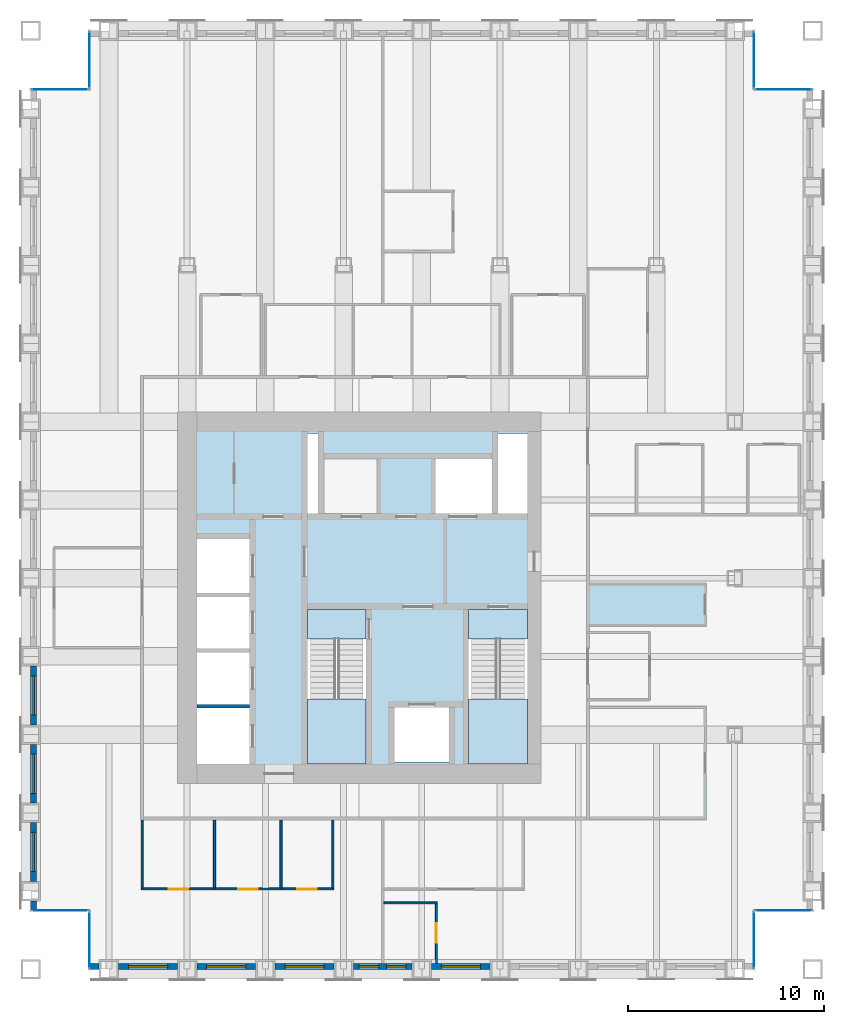
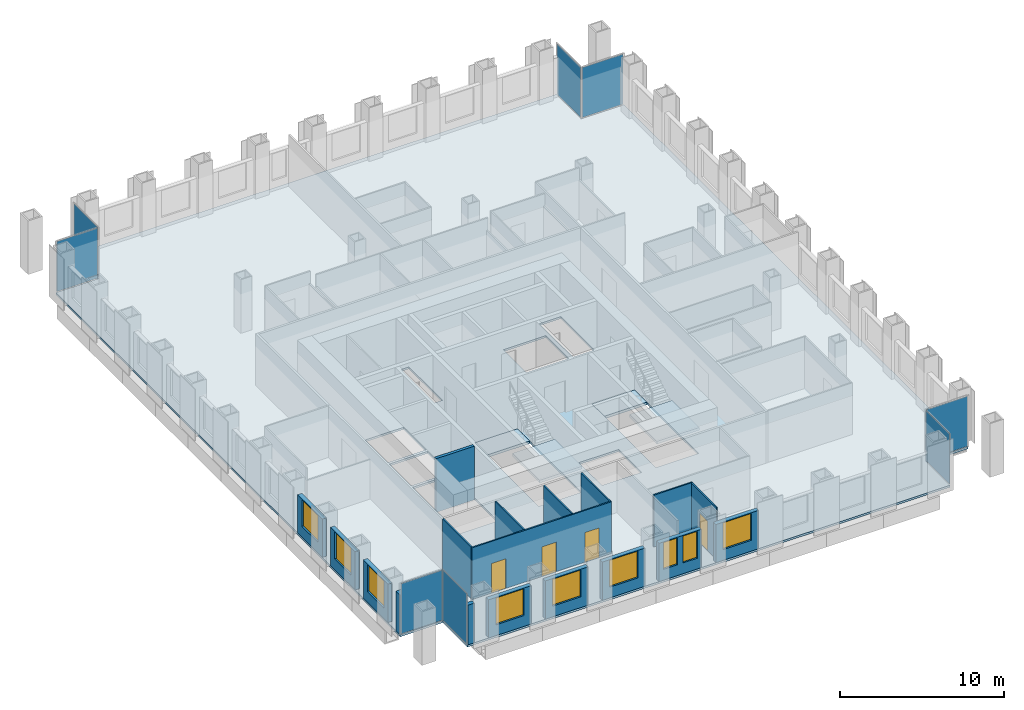
# One storey, part 8 of 14: 18 walls, 9 windows, 8 plates, 5 slabs, 4 doors, 13 openings, 10 elements without a shape of their own.
"""IFC4 building model written with IfcOpenShell, lengths in metres."""

from ifc_helpers import new_model, si_unit, direction, frame, frame_2d, origin, origin_2d, place, context, subcontext, project, spatial, polyline, rectangle, outline, extrude, material, layer, layer_set, type_object, element, fill, aggregate, save


model = new_model("IFC4")

# Units and contexts
model_context = context("Model", 3, precision=1e-05, world=origin(), true_north=direction((0.0, 1.0)))
body_context = subcontext(model_context, "Body", "Model", "MODEL_VIEW")
ifc_project = project(units=[si_unit("LENGTHUNIT", "METRE"), si_unit("AREAUNIT", "SQUARE_METRE"), si_unit("VOLUMEUNIT", "CUBIC_METRE"), si_unit("PLANEANGLEUNIT", "RADIAN"), si_unit("MASSUNIT", "GRAM", prefix="KILO")], contexts=[model_context])

# Site, building, storey
site_placement = place(None, origin())
site = spatial("IfcSite", under=ifc_project, at=site_placement, CompositionType="ELEMENT")
building_placement = place(site_placement, origin())
building = spatial("IfcBuilding", under=site, at=building_placement, Name="Rimbunsela Tower", CompositionType="ELEMENT")
storey_placement = place(building_placement, frame((0.0, 0.0, 230.199951171875)))
storey = spatial("IfcBuildingStorey", under=building, at=storey_placement, Name="L55", CompositionType="ELEMENT", Elevation=230.199951171875)

# Slab
ifc_material_1 = material(Name="Concrete fc' 35 MPa", Category="concrete")
ifc_layer_1 = layer(ifc_material_1, 0.14990234375)
ifc_layer_set_1 = layer_set([ifc_layer_1], Name="Floor slab 150")
slab_type_1 = type_object("IfcSlabType", Name="Floor slab 150", PredefinedType="FLOOR", material=ifc_layer_set_1)
slab_1_placement = place(storey_placement, frame((0.0, 0.0, -0.14990234375)))
element("IfcSlab", 1, at=slab_1_placement, inside=storey, type_object=slab_type_1, Name="Floor slab L55", PredefinedType="FLOOR", context=body_context, shape_type="SweptSolid", body=[
    extrude(outline(polyline([(13.0, 8.0), (47.0, 8.0), (47.0, 11.0), (50.0, 11.0), (50.0, 53.0), (47.0, 53.0), (47.0, 56.0), (13.0, 56.0), (13.0, 53.0), (10.0, 53.0), (10.0, 11.0), (13.0, 11.0), (13.0, 8.0)]), holes=[polyline([(21.199951171875, 21.35009765625), (18.5, 21.35009765625), (18.5, 18.5), (21.199951171875, 18.5), (21.199951171875, 21.35009765625)]), polyline([(21.199951171875, 21.550048828125), (21.199951171875, 24.199951171875), (18.5, 24.199951171875), (18.5, 21.550048828125), (21.199951171875, 21.550048828125)]), polyline([(21.199951171875, 27.050048828125), (18.5, 27.050048828125), (18.5, 24.39990234375), (21.199951171875, 24.39990234375), (21.199951171875, 27.050048828125)]), polyline([(21.199951171875, 30.0), (18.5, 30.0), (18.5, 27.25), (21.199951171875, 27.25), (21.199951171875, 30.0)]), polyline([(27.14990234375, 26.39990234375), (24.14990234375, 26.39990234375), (24.14990234375, 18.60009765625), (27.14990234375, 18.60009765625), (27.14990234375, 26.39990234375)]), polyline([(24.699951171875, 31.300048828125), (24.699951171875, 35.39990234375), (24.14990234375, 35.39990234375), (24.14990234375, 31.300048828125), (24.699951171875, 31.300048828125)]), polyline([(31.39990234375, 21.39990234375), (28.60009765625, 21.39990234375), (28.60009765625, 18.60009765625), (31.39990234375, 18.60009765625), (31.39990234375, 21.39990234375)]), polyline([(33.60009765625, 34.10009765625), (30.60009765625, 34.10009765625), (30.60009765625, 31.300048828125), (33.60009765625, 31.300048828125), (33.60009765625, 34.10009765625)]), polyline([(35.39990234375, 18.60009765625), (35.39990234375, 26.39990234375), (32.39990234375, 26.39990234375), (32.39990234375, 18.60009765625), (35.39990234375, 18.60009765625)]), polyline([(35.39990234375, 31.300048828125), (35.39990234375, 35.39990234375), (33.89990234375, 35.39990234375), (33.89990234375, 31.300048828125), (35.39990234375, 31.300048828125)])]), origin(), (0.0, 0.0, 1.0), 0.14990234375),
])

# Curtain wall, plate
ifc_material_2 = material(Name="Aluminium curtain wall", Category="aluminium")
curtain_wall_type = type_object("IfcCurtainWallType", Name="Corner glazing", PredefinedType="USERDEFINED", material=ifc_material_2)
curtain_wall_1_placement = place(storey_placement, origin())
curtain_wall_1 = element("IfcCurtainWall", 2, at=curtain_wall_1_placement, inside=storey, type_object=curtain_wall_type, Name="Corner glazing L55", ObjectType="CORNER GLAZING", PredefinedType="USERDEFINED")
ifc_material_3 = material(Name="Clear double glazing", Category="glass")
ifc_layer_2 = layer(ifc_material_3, 0.028076171875)
ifc_layer_set_2 = layer_set([ifc_layer_2], Name="Glazed panel clear")
plate_type = type_object("IfcPlateType", Name="Glazed panel clear", PredefinedType="CURTAIN_PANEL", material=ifc_layer_set_2)
plate_1_placement = place(storey_placement, frame((47.0, 9.5, 0.06005859375), z_axis=(0.0, 0.0, 1.0), x_axis=(0.0, 1.0, 0.0)))
plate_1 = element("IfcPlate", 3, at=plate_1_placement, type_object=plate_type, Name="CW5 panel 1.1", PredefinedType="CURTAIN_PANEL", context=body_context, shape_type="SweptSolid", body=[
    extrude(rectangle(XDim=2.8798828125, YDim=0.028076171875, at=origin_2d()), origin(), (0.0, 0.0, 1.0), 3.72998046875),
])
aggregate(curtain_wall_1, [plate_1])

curtain_wall_2_placement = place(storey_placement, origin())
curtain_wall_2 = element("IfcCurtainWall", 4, at=curtain_wall_2_placement, inside=storey, type_object=curtain_wall_type, Name="Corner glazing L55", ObjectType="CORNER GLAZING", PredefinedType="USERDEFINED")
plate_2_placement = place(storey_placement, frame((48.5, 11.0, 0.06005859375), z_axis=(0.0, 0.0, 1.0), x_axis=(1.0, 0.0, 0.0)))
plate_2 = element("IfcPlate", 5, at=plate_2_placement, type_object=plate_type, Name="CW5 panel 1.1", PredefinedType="CURTAIN_PANEL", context=body_context, shape_type="SweptSolid", body=[
    extrude(rectangle(XDim=2.8798828125, YDim=0.028076171875, at=origin_2d()), origin(), (0.0, 0.0, 1.0), 3.72998046875),
])
aggregate(curtain_wall_2, [plate_2])

curtain_wall_3_placement = place(storey_placement, origin())
curtain_wall_3 = element("IfcCurtainWall", 6, at=curtain_wall_3_placement, inside=storey, type_object=curtain_wall_type, Name="Corner glazing L55", ObjectType="CORNER GLAZING", PredefinedType="USERDEFINED")
plate_3_placement = place(storey_placement, frame((48.5, 53.0, 0.06005859375), z_axis=(0.0, 0.0, 1.0), x_axis=(-1.0, 0.0, 0.0)))
plate_3 = element("IfcPlate", 7, at=plate_3_placement, type_object=plate_type, Name="CW5 panel 1.1", PredefinedType="CURTAIN_PANEL", context=body_context, shape_type="SweptSolid", body=[
    extrude(rectangle(XDim=2.8798828125, YDim=0.028076171875, at=origin_2d()), origin(), (0.0, 0.0, 1.0), 3.72998046875),
])
aggregate(curtain_wall_3, [plate_3])

curtain_wall_4_placement = place(storey_placement, origin())
curtain_wall_4 = element("IfcCurtainWall", 8, at=curtain_wall_4_placement, inside=storey, type_object=curtain_wall_type, Name="Corner glazing L55", ObjectType="CORNER GLAZING", PredefinedType="USERDEFINED")
plate_4_placement = place(storey_placement, frame((47.0, 54.5, 0.06005859375), z_axis=(0.0, 0.0, 1.0), x_axis=(0.0, 1.0, 0.0)))
plate_4 = element("IfcPlate", 9, at=plate_4_placement, type_object=plate_type, Name="CW5 panel 1.1", PredefinedType="CURTAIN_PANEL", context=body_context, shape_type="SweptSolid", body=[
    extrude(rectangle(XDim=2.8798828125, YDim=0.028076171875, at=origin_2d()), origin(), (0.0, 0.0, 1.0), 3.72998046875),
])
aggregate(curtain_wall_4, [plate_4])

curtain_wall_5_placement = place(storey_placement, origin())
curtain_wall_5 = element("IfcCurtainWall", 10, at=curtain_wall_5_placement, inside=storey, type_object=curtain_wall_type, Name="Corner glazing L55", ObjectType="CORNER GLAZING", PredefinedType="USERDEFINED")
plate_5_placement = place(storey_placement, frame((13.0, 54.5, 0.06005859375), z_axis=(0.0, 0.0, 1.0), x_axis=(0.0, -1.0, 0.0)))
plate_5 = element("IfcPlate", 11, at=plate_5_placement, type_object=plate_type, Name="CW5 panel 1.1", PredefinedType="CURTAIN_PANEL", context=body_context, shape_type="SweptSolid", body=[
    extrude(rectangle(XDim=2.8798828125, YDim=0.028076171875, at=origin_2d()), origin(), (0.0, 0.0, 1.0), 3.72998046875),
])
aggregate(curtain_wall_5, [plate_5])

curtain_wall_6_placement = place(storey_placement, origin())
curtain_wall_6 = element("IfcCurtainWall", 12, at=curtain_wall_6_placement, inside=storey, type_object=curtain_wall_type, Name="Corner glazing L55", ObjectType="CORNER GLAZING", PredefinedType="USERDEFINED")
plate_6_placement = place(storey_placement, frame((11.5, 53.0, 0.06005859375), z_axis=(0.0, 0.0, 1.0), x_axis=(-1.0, 0.0, 0.0)))
plate_6 = element("IfcPlate", 13, at=plate_6_placement, type_object=plate_type, Name="CW5 panel 1.1", PredefinedType="CURTAIN_PANEL", context=body_context, shape_type="SweptSolid", body=[
    extrude(rectangle(XDim=2.8798828125, YDim=0.028076171875, at=origin_2d()), origin(), (0.0, 0.0, 1.0), 3.72998046875),
])
aggregate(curtain_wall_6, [plate_6])

curtain_wall_7_placement = place(storey_placement, origin())
curtain_wall_7 = element("IfcCurtainWall", 14, at=curtain_wall_7_placement, inside=storey, type_object=curtain_wall_type, Name="Corner glazing L55", ObjectType="CORNER GLAZING", PredefinedType="USERDEFINED")
plate_7_placement = place(storey_placement, frame((11.5, 11.0, 0.06005859375), z_axis=(0.0, 0.0, 1.0), x_axis=(1.0, 0.0, 0.0)))
plate_7 = element("IfcPlate", 15, at=plate_7_placement, type_object=plate_type, Name="CW5 panel 1.1", PredefinedType="CURTAIN_PANEL", context=body_context, shape_type="SweptSolid", body=[
    extrude(rectangle(XDim=2.8798828125, YDim=0.028076171875, at=origin_2d()), origin(), (0.0, 0.0, 1.0), 3.72998046875),
])
aggregate(curtain_wall_7, [plate_7])

curtain_wall_8_placement = place(storey_placement, origin())
curtain_wall_8 = element("IfcCurtainWall", 16, at=curtain_wall_8_placement, inside=storey, type_object=curtain_wall_type, Name="Corner glazing L55", ObjectType="CORNER GLAZING", PredefinedType="USERDEFINED")
plate_8_placement = place(storey_placement, frame((13.0, 9.5, 0.06005859375), z_axis=(0.0, 0.0, 1.0), x_axis=(0.0, -1.0, 0.0)))
plate_8 = element("IfcPlate", 17, at=plate_8_placement, type_object=plate_type, Name="CW5 panel 1.1", PredefinedType="CURTAIN_PANEL", context=body_context, shape_type="SweptSolid", body=[
    extrude(rectangle(XDim=2.8798828125, YDim=0.028076171875, at=origin_2d()), origin(), (0.0, 0.0, 1.0), 3.72998046875),
])
aggregate(curtain_wall_8, [plate_8])

# Stair, slabs
ifc_material_4 = material(Name="Concrete fc' 35 MPa", Category="concrete")
stair_type = type_object("IfcStairType", Name="Exit stair 24 risers", PredefinedType="HALF_TURN_STAIR", material=ifc_material_4)
stair_1_placement = place(storey_placement, origin())
stair_1 = element("IfcStair", 18, at=stair_1_placement, inside=storey, type_object=stair_type, Name="Exit stair A L55", PredefinedType="HALF_TURN_STAIR")
ifc_material_5 = material(Name="Concrete fc' 35 MPa", Category="concrete")
ifc_layer_3 = layer(ifc_material_5, 0.199951171875)
ifc_layer_set_3 = layer_set([ifc_layer_3], Name="Stair landing 200")
slab_type_2 = type_object("IfcSlabType", Name="Stair landing 200", PredefinedType="LANDING", material=ifc_layer_set_3)
slab_2_placement = place(storey_placement, frame((0.0, 0.0, -0.199951171875)))
slab_2 = element("IfcSlab", 19, at=slab_2_placement, type_object=slab_type_2, Name="ST-A landing 1", PredefinedType="LANDING", context=body_context, shape_type="SweptSolid", body=[
    extrude(outline(polyline([(24.14990234375, 24.89990234375), (27.14990234375, 24.89990234375), (27.14990234375, 26.39990234375), (24.14990234375, 26.39990234375), (24.14990234375, 24.89990234375)])), origin(), (0.0, 0.0, 1.0), 0.199951171875),
])
slab_3_placement = place(storey_placement, frame((0.0, 0.0, 1.800048828125)))
slab_3 = element("IfcSlab", 20, at=slab_3_placement, type_object=slab_type_2, Name="ST-A landing 2", PredefinedType="LANDING", context=body_context, shape_type="SweptSolid", body=[
    extrude(outline(polyline([(24.14990234375, 18.5), (27.14990234375, 18.5), (27.14990234375, 21.820068359375), (24.14990234375, 21.820068359375), (24.14990234375, 18.5)])), origin(), (0.0, 0.0, 1.0), 0.199951171875),
])
aggregate(stair_1, [slab_2, slab_3])

stair_2_placement = place(storey_placement, origin())
stair_2 = element("IfcStair", 21, at=stair_2_placement, inside=storey, type_object=stair_type, Name="Exit stair B L55", PredefinedType="HALF_TURN_STAIR")
slab_4_placement = place(storey_placement, frame((0.0, 0.0, -0.199951171875)))
slab_4 = element("IfcSlab", 22, at=slab_4_placement, type_object=slab_type_2, Name="ST-B landing 1", PredefinedType="LANDING", context=body_context, shape_type="SweptSolid", body=[
    extrude(outline(polyline([(32.39990234375, 24.89990234375), (35.39990234375, 24.89990234375), (35.39990234375, 26.39990234375), (32.39990234375, 26.39990234375), (32.39990234375, 24.89990234375)])), origin(), (0.0, 0.0, 1.0), 0.199951171875),
])
slab_5_placement = place(storey_placement, frame((0.0, 0.0, 1.800048828125)))
slab_5 = element("IfcSlab", 23, at=slab_5_placement, type_object=slab_type_2, Name="ST-B landing 2", PredefinedType="LANDING", context=body_context, shape_type="SweptSolid", body=[
    extrude(outline(polyline([(32.39990234375, 18.5), (35.39990234375, 18.5), (35.39990234375, 21.820068359375), (32.39990234375, 21.820068359375), (32.39990234375, 18.5)])), origin(), (0.0, 0.0, 1.0), 0.199951171875),
])
aggregate(stair_2, [slab_4, slab_5])

# Walls
ifc_material_6 = material(Name="Concrete blockwork", Category="masonry")
ifc_layer_4 = layer(ifc_material_6, 0.199951171875)
ifc_layer_set_4 = layer_set([ifc_layer_4], Name="Lift shaft wall 200")
wall_type_1 = type_object("IfcWallType", Name="Lift shaft wall 200", PredefinedType="SOLIDWALL", material=ifc_layer_set_4)
wall_1_placement = place(storey_placement, frame((18.5, 21.449951171875, -0.14990234375), z_axis=(0.0, 0.0, 1.0), x_axis=(1.0, 0.0, 0.0)))
element("IfcWall", 24, at=wall_1_placement, inside=storey, type_object=wall_type_1, Name="Lift shaft separation", PredefinedType="SOLIDWALL", context=body_context, shape_type="SweptSolid", body=[
    extrude(rectangle(XDim=2.699951171875, YDim=0.199951171875, at=frame_2d((1.35009765625, 0.0))), origin(), (0.0, 0.0, 1.0), 4.0),
])
ifc_material_7 = material(Name="Gypsum board on steel studs", Category="steel")
ifc_layer_5 = layer(ifc_material_7, 0.10009765625)
ifc_layer_set_5 = layer_set([ifc_layer_5], Name="Office partition 100")
wall_type_2 = type_object("IfcWallType", Name="Office partition 100", PredefinedType="PARTITIONING", material=ifc_layer_set_5)
wall_2_placement = place(storey_placement, frame((28.06005859375, 11.39990234375, 0.0), z_axis=(0.0, 0.0, 1.0), x_axis=(1.0, 0.0, 0.0)))
element("IfcWall", 25, at=wall_2_placement, inside=storey, type_object=wall_type_2, Name="Office partition", PredefinedType="PARTITIONING", context=body_context, shape_type="SweptSolid", body=[
    extrude(rectangle(XDim=2.739990234375, YDim=0.10009765625, at=frame_2d((1.3701171875, 0.0))), origin(), (0.0, 0.0, 1.0), 3.85009765625),
])

# Wall, openings, doors
wall_3_placement = place(storey_placement, frame((15.64990234375, 12.10009765625, 0.0), z_axis=(0.0, 0.0, 1.0), x_axis=(1.0, 0.0, 0.0)))
wall_3 = element("IfcWall", 26, at=wall_3_placement, inside=storey, type_object=wall_type_2, Name="Office partition", PredefinedType="PARTITIONING", context=body_context, shape_type="SweptSolid", body=[
    extrude(rectangle(XDim=9.85009765625, YDim=0.10009765625, at=frame_2d((4.925048828125, 0.0))), origin(), (0.0, 0.0, 1.0), 3.85009765625),
])
opening_1_placement = place(wall_3_placement, frame((1.39990234375, 0.0, 0.0)))
opening_1 = element("IfcOpeningElement", 27, at=opening_1_placement, cuts=wall_3, Name="Opening D17", PredefinedType="OPENING", context=body_context, shape_type="SweptSolid", body=[
    extrude(rectangle(XDim=1.0, YDim=2.199951171875, at=frame_2d((0.5, 1.10009765625))), frame((0.0, 0.06005859375, 0.0), z_axis=(0.0, -1.0, 0.0), x_axis=(1.0, 0.0, 0.0)), (0.0, 0.0, 1.0), 0.1201171875),
])
opening_2_placement = place(wall_3_placement, frame((4.949951171875, 0.0, 0.0)))
opening_2 = element("IfcOpeningElement", 28, at=opening_2_placement, cuts=wall_3, Name="Opening D16", PredefinedType="OPENING", context=body_context, shape_type="SweptSolid", body=[
    extrude(rectangle(XDim=1.0, YDim=2.199951171875, at=frame_2d((0.5, 1.10009765625))), frame((0.0, 0.06005859375, 0.0), z_axis=(0.0, -1.0, 0.0), x_axis=(1.0, 0.0, 0.0)), (0.0, 0.0, 1.0), 0.1201171875),
])
opening_3_placement = place(wall_3_placement, frame((7.97509765625, 0.0, 0.0)))
opening_3 = element("IfcOpeningElement", 29, at=opening_3_placement, cuts=wall_3, Name="Opening D16", PredefinedType="OPENING", context=body_context, shape_type="SweptSolid", body=[
    extrude(rectangle(XDim=1.0, YDim=2.199951171875, at=frame_2d((0.5, 1.10009765625))), frame((0.0, 0.06005859375, 0.0), z_axis=(0.0, -1.0, 0.0), x_axis=(1.0, 0.0, 0.0)), (0.0, 0.0, 1.0), 0.1201171875),
])
ifc_material_8 = material(Name="Glazed aluminium door", Category="aluminium")
door_type_1 = type_object("IfcDoorType", Name="Meeting room door 1000 glazed", OperationType="SINGLE_SWING_RIGHT", PredefinedType="DOOR", material=ifc_material_8)
door_1_placement = place(opening_1_placement, origin())
door_1 = element("IfcDoor", 30, at=door_1_placement, inside=storey, type_object=door_type_1, Name="Meeting room door", OperationType="SINGLE_SWING_RIGHT", OverallHeight=2.199951171875, OverallWidth=1.0, PredefinedType="DOOR", context=body_context, shape_type="SweptSolid", body=[
    extrude(rectangle(XDim=1.0, YDim=2.199951171875, at=frame_2d((0.5, 1.10009765625))), frame((0.0, 0.02490234375, 0.0), z_axis=(0.0, -1.0, 0.0), x_axis=(1.0, 0.0, 0.0)), (0.0, 0.0, 1.0), 0.050048828125),
])
fill(opening_1, door_1)
ifc_material_9 = material(Name="Timber door", Category="wood")
door_type_2 = type_object("IfcDoorType", Name="Office door 1000", OperationType="SINGLE_SWING_LEFT", PredefinedType="DOOR", material=ifc_material_9)
door_2_placement = place(opening_2_placement, origin())
door_2 = element("IfcDoor", 31, at=door_2_placement, inside=storey, type_object=door_type_2, Name="Office door", OperationType="SINGLE_SWING_LEFT", OverallHeight=2.199951171875, OverallWidth=1.0, PredefinedType="DOOR", context=body_context, shape_type="SweptSolid", body=[
    extrude(rectangle(XDim=1.0, YDim=2.199951171875, at=frame_2d((0.5, 1.10009765625))), frame((0.0, 0.02490234375, 0.0), z_axis=(0.0, -1.0, 0.0), x_axis=(1.0, 0.0, 0.0)), (0.0, 0.0, 1.0), 0.050048828125),
])
fill(opening_2, door_2)
door_3_placement = place(opening_3_placement, origin())
door_3 = element("IfcDoor", 32, at=door_3_placement, inside=storey, type_object=door_type_2, Name="Office door", OperationType="SINGLE_SWING_LEFT", OverallHeight=2.199951171875, OverallWidth=1.0, PredefinedType="DOOR", context=body_context, shape_type="SweptSolid", body=[
    extrude(rectangle(XDim=1.0, YDim=2.199951171875, at=frame_2d((0.5, 1.10009765625))), frame((0.0, 0.02490234375, 0.0), z_axis=(0.0, -1.0, 0.0), x_axis=(1.0, 0.0, 0.0)), (0.0, 0.0, 1.0), 0.050048828125),
])
fill(opening_3, door_3)

# Walls
for number, where, z_axis, x_axis, name in (
    (33, (15.699951171875, 12.14990234375, 0.0), (0.0, 0.0, 1.0), (0.0, 1.0, 0.0), "Office partition"),
    (34, (19.39990234375, 12.14990234375, 0.0), (0.0, 0.0, 1.0), (0.0, 1.0, 0.0), "Office partition"),
    (35, (22.800048828125, 12.14990234375, 0.0), (0.0, 0.0, 1.0), (0.0, 1.0, 0.0), "Office partition"),
    (36, (25.449951171875, 12.14990234375, 0.0), (0.0, 0.0, 1.0), (0.0, 1.0, 0.0), "Office partition"),
):
    element("IfcWall", number, at=place(storey_placement, frame(where, z_axis=z_axis, x_axis=x_axis)), inside=storey, type_object=wall_type_2, Name=name, PredefinedType="PARTITIONING", context=body_context, shape_type="SweptSolid", body=[
        extrude(rectangle(XDim=3.47509765625, YDim=0.10009765625, at=frame_2d((1.737548828125, 0.0))), origin(), (0.0, 0.0, 1.0), 3.85009765625),
    ])

# Wall, opening, door
wall_4_placement = place(storey_placement, frame((30.75, 8.300048828125, 0.0), z_axis=(0.0, 0.0, 1.0), x_axis=(0.0, 1.0, 0.0)))
wall_4 = element("IfcWall", 37, at=wall_4_placement, inside=storey, type_object=wall_type_2, Name="Office partition", PredefinedType="PARTITIONING", context=body_context, shape_type="SweptSolid", body=[
    extrude(rectangle(XDim=3.050048828125, YDim=0.10009765625, at=frame_2d((1.52490234375, 0.0))), origin(), (0.0, 0.0, 1.0), 3.85009765625),
])
opening_4_placement = place(wall_4_placement, frame((1.050048828125, 0.0, 0.0)))
opening_4 = element("IfcOpeningElement", 38, at=opening_4_placement, cuts=wall_4, Name="Opening D16", PredefinedType="OPENING", context=body_context, shape_type="SweptSolid", body=[
    extrude(rectangle(XDim=1.0, YDim=2.199951171875, at=frame_2d((0.5, 1.10009765625))), frame((0.0, 0.06005859375, 0.0), z_axis=(0.0, -1.0, 0.0), x_axis=(1.0, 0.0, 0.0)), (0.0, 0.0, 1.0), 0.1201171875),
])
door_4_placement = place(opening_4_placement, origin())
door_4 = element("IfcDoor", 39, at=door_4_placement, inside=storey, type_object=door_type_2, Name="Office door", OperationType="SINGLE_SWING_LEFT", OverallHeight=2.199951171875, OverallWidth=1.0, PredefinedType="DOOR", context=body_context, shape_type="SweptSolid", body=[
    extrude(rectangle(XDim=1.0, YDim=2.199951171875, at=frame_2d((0.5, 1.10009765625))), frame((0.0, 0.02490234375, 0.0), z_axis=(0.0, -1.0, 0.0), x_axis=(1.0, 0.0, 0.0)), (0.0, 0.0, 1.0), 0.050048828125),
])
fill(opening_4, door_4)

# Wall
ifc_material_10 = material(Name="Precast concrete fc' 35 MPa", Category="concrete")
ifc_layer_6 = layer(ifc_material_10, 0.300048828125)
ifc_layer_set_6 = layer_set([ifc_layer_6], Name="Precast concrete fc' 35 MPa")
wall_type_3 = type_object("IfcWallType", Name="Precast facade panel 300", PredefinedType="ELEMENTEDWALL", material=ifc_layer_set_6)
wall_5_placement = place(storey_placement, frame((13.030029296875, 8.14990234375, 0.0), z_axis=(0.0, 0.0, 1.0), x_axis=(1.0, 0.0, 0.0)))
element("IfcWall", 40, at=wall_5_placement, inside=storey, type_object=wall_type_3, Name="Facade panel S L55", PredefinedType="ELEMENTEDWALL", context=body_context, shape_type="SweptSolid", body=[
    extrude(rectangle(XDim=0.469970703125, YDim=0.300048828125, at=frame_2d((0.23486328125, 0.0))), origin(), (0.0, 0.0, 1.0), 2.949951171875),
])

# Wall, opening, window
wall_6_placement = place(storey_placement, frame((14.5, 8.14990234375, 0.0), z_axis=(0.0, 0.0, 1.0), x_axis=(1.0, 0.0, 0.0)))
wall_6 = element("IfcWall", 41, at=wall_6_placement, inside=storey, type_object=wall_type_3, Name="Facade panel S L55", PredefinedType="ELEMENTEDWALL", context=body_context, shape_type="SweptSolid", body=[
    extrude(rectangle(XDim=3.0, YDim=0.300048828125, at=frame_2d((1.5, 0.0))), origin(), (0.0, 0.0, 1.0), 2.85009765625),
])
opening_5_placement = place(wall_6_placement, frame((0.5, 0.0, 0.800048828125)))
opening_5 = element("IfcOpeningElement", 42, at=opening_5_placement, cuts=wall_6, Name="Opening W1", PredefinedType="OPENING", context=body_context, shape_type="SweptSolid", body=[
    extrude(rectangle(XDim=2.0, YDim=2.0, at=frame_2d((1.0, 1.0))), frame((0.0, 0.159912109375, 0.0), z_axis=(0.0, -1.0, 0.0), x_axis=(1.0, 0.0, 0.0)), (0.0, 0.0, 1.0), 0.320068359375),
])
ifc_material_11 = material(Name="Clear glass in aluminium frame", Category="aluminium")
window_type_1 = type_object("IfcWindowType", Name="Window W1 2000x2000", PartitioningType="DOUBLE_PANEL_VERTICAL", PredefinedType="WINDOW", material=ifc_material_11)
window_1_placement = place(opening_5_placement, origin())
window_1 = element("IfcWindow", 43, at=window_1_placement, inside=storey, type_object=window_type_1, Name="Window L55", OverallHeight=2.0, OverallWidth=2.0, PartitioningType="SINGLE_PANEL", PredefinedType="WINDOW", context=body_context, shape_type="SweptSolid", body=[
    extrude(rectangle(XDim=2.0, YDim=2.0, at=frame_2d((1.0, 1.0))), frame((0.0, 0.030029296875, 0.0), z_axis=(0.0, -1.0, 0.0), x_axis=(1.0, 0.0, 0.0)), (0.0, 0.0, 1.0), 0.06005859375),
])
fill(opening_5, window_1)

wall_7_placement = place(storey_placement, frame((18.5, 8.14990234375, 0.0), z_axis=(0.0, 0.0, 1.0), x_axis=(1.0, 0.0, 0.0)))
wall_7 = element("IfcWall", 44, at=wall_7_placement, inside=storey, type_object=wall_type_3, Name="Facade panel S L55", PredefinedType="ELEMENTEDWALL", context=body_context, shape_type="SweptSolid", body=[
    extrude(rectangle(XDim=3.0, YDim=0.300048828125, at=frame_2d((1.5, 0.0))), origin(), (0.0, 0.0, 1.0), 2.85009765625),
])
opening_6_placement = place(wall_7_placement, frame((0.5, 0.0, 0.800048828125)))
opening_6 = element("IfcOpeningElement", 45, at=opening_6_placement, cuts=wall_7, Name="Opening W1", PredefinedType="OPENING", context=body_context, shape_type="SweptSolid", body=[
    extrude(rectangle(XDim=2.0, YDim=2.0, at=frame_2d((1.0, 1.0))), frame((0.0, 0.159912109375, 0.0), z_axis=(0.0, -1.0, 0.0), x_axis=(1.0, 0.0, 0.0)), (0.0, 0.0, 1.0), 0.320068359375),
])
window_2_placement = place(opening_6_placement, origin())
window_2 = element("IfcWindow", 46, at=window_2_placement, inside=storey, type_object=window_type_1, Name="Window L55", OverallHeight=2.0, OverallWidth=2.0, PartitioningType="SINGLE_PANEL", PredefinedType="WINDOW", context=body_context, shape_type="SweptSolid", body=[
    extrude(rectangle(XDim=2.0, YDim=2.0, at=frame_2d((1.0, 1.0))), frame((0.0, 0.030029296875, 0.0), z_axis=(0.0, -1.0, 0.0), x_axis=(1.0, 0.0, 0.0)), (0.0, 0.0, 1.0), 0.06005859375),
])
fill(opening_6, window_2)

wall_8_placement = place(storey_placement, frame((22.5, 8.14990234375, 0.0), z_axis=(0.0, 0.0, 1.0), x_axis=(1.0, 0.0, 0.0)))
wall_8 = element("IfcWall", 47, at=wall_8_placement, inside=storey, type_object=wall_type_3, Name="Facade panel S L55", PredefinedType="ELEMENTEDWALL", context=body_context, shape_type="SweptSolid", body=[
    extrude(rectangle(XDim=3.0, YDim=0.300048828125, at=frame_2d((1.5, 0.0))), origin(), (0.0, 0.0, 1.0), 2.85009765625),
])
opening_7_placement = place(wall_8_placement, frame((0.5, 0.0, 0.800048828125)))
opening_7 = element("IfcOpeningElement", 48, at=opening_7_placement, cuts=wall_8, Name="Opening W1", PredefinedType="OPENING", context=body_context, shape_type="SweptSolid", body=[
    extrude(rectangle(XDim=2.0, YDim=2.0, at=frame_2d((1.0, 1.0))), frame((0.0, 0.159912109375, 0.0), z_axis=(0.0, -1.0, 0.0), x_axis=(1.0, 0.0, 0.0)), (0.0, 0.0, 1.0), 0.320068359375),
])
window_3_placement = place(opening_7_placement, origin())
window_3 = element("IfcWindow", 49, at=window_3_placement, inside=storey, type_object=window_type_1, Name="Window L55", OverallHeight=2.0, OverallWidth=2.0, PartitioningType="SINGLE_PANEL", PredefinedType="WINDOW", context=body_context, shape_type="SweptSolid", body=[
    extrude(rectangle(XDim=2.0, YDim=2.0, at=frame_2d((1.0, 1.0))), frame((0.0, 0.030029296875, 0.0), z_axis=(0.0, -1.0, 0.0), x_axis=(1.0, 0.0, 0.0)), (0.0, 0.0, 1.0), 0.06005859375),
])
fill(opening_7, window_3)

# Wall, openings, windows
wall_9_placement = place(storey_placement, frame((26.5, 8.14990234375, 0.0), z_axis=(0.0, 0.0, 1.0), x_axis=(1.0, 0.0, 0.0)))
wall_9 = element("IfcWall", 50, at=wall_9_placement, inside=storey, type_object=wall_type_3, Name="Facade panel S L55", PredefinedType="ELEMENTEDWALL", context=body_context, shape_type="SweptSolid", body=[
    extrude(rectangle(XDim=3.0, YDim=0.300048828125, at=frame_2d((1.5, 0.0))), origin(), (0.0, 0.0, 1.0), 2.85009765625),
])
opening_8_placement = place(wall_9_placement, frame((0.300048828125, 0.0, 0.800048828125)))
opening_8 = element("IfcOpeningElement", 51, at=opening_8_placement, cuts=wall_9, Name="Opening W5", PredefinedType="OPENING", context=body_context, shape_type="SweptSolid", body=[
    extrude(rectangle(XDim=1.0, YDim=2.0, at=frame_2d((0.5, 1.0))), frame((0.0, 0.159912109375, 0.0), z_axis=(0.0, -1.0, 0.0), x_axis=(1.0, 0.0, 0.0)), (0.0, 0.0, 1.0), 0.320068359375),
])
opening_9_placement = place(wall_9_placement, frame((1.699951171875, 0.0, 0.800048828125)))
opening_9 = element("IfcOpeningElement", 52, at=opening_9_placement, cuts=wall_9, Name="Opening W5", PredefinedType="OPENING", context=body_context, shape_type="SweptSolid", body=[
    extrude(rectangle(XDim=1.0, YDim=2.0, at=frame_2d((0.5, 1.0))), frame((0.0, 0.159912109375, 0.0), z_axis=(0.0, -1.0, 0.0), x_axis=(1.0, 0.0, 0.0)), (0.0, 0.0, 1.0), 0.320068359375),
])
ifc_material_12 = material(Name="Clear glass in aluminium frame", Category="aluminium")
window_type_2 = type_object("IfcWindowType", Name="Window W5 1000x2000", PartitioningType="SINGLE_PANEL", PredefinedType="WINDOW", material=ifc_material_12)
window_4_placement = place(opening_8_placement, origin())
window_4 = element("IfcWindow", 53, at=window_4_placement, inside=storey, type_object=window_type_2, Name="Window L55", OverallHeight=2.0, OverallWidth=1.0, PartitioningType="SINGLE_PANEL", PredefinedType="WINDOW", context=body_context, shape_type="SweptSolid", body=[
    extrude(rectangle(XDim=1.0, YDim=2.0, at=frame_2d((0.5, 1.0))), frame((0.0, 0.030029296875, 0.0), z_axis=(0.0, -1.0, 0.0), x_axis=(1.0, 0.0, 0.0)), (0.0, 0.0, 1.0), 0.06005859375),
])
fill(opening_8, window_4)
window_5_placement = place(opening_9_placement, origin())
window_5 = element("IfcWindow", 54, at=window_5_placement, inside=storey, type_object=window_type_2, Name="Window L55", OverallHeight=2.0, OverallWidth=1.0, PartitioningType="SINGLE_PANEL", PredefinedType="WINDOW", context=body_context, shape_type="SweptSolid", body=[
    extrude(rectangle(XDim=1.0, YDim=2.0, at=frame_2d((0.5, 1.0))), frame((0.0, 0.030029296875, 0.0), z_axis=(0.0, -1.0, 0.0), x_axis=(1.0, 0.0, 0.0)), (0.0, 0.0, 1.0), 0.06005859375),
])
fill(opening_9, window_5)

# Wall, opening, window
wall_10_placement = place(storey_placement, frame((30.5, 8.14990234375, 0.0), z_axis=(0.0, 0.0, 1.0), x_axis=(1.0, 0.0, 0.0)))
wall_10 = element("IfcWall", 55, at=wall_10_placement, inside=storey, type_object=wall_type_3, Name="Facade panel S L55", PredefinedType="ELEMENTEDWALL", context=body_context, shape_type="SweptSolid", body=[
    extrude(rectangle(XDim=3.0, YDim=0.300048828125, at=frame_2d((1.5, 0.0))), origin(), (0.0, 0.0, 1.0), 2.85009765625),
])
opening_10_placement = place(wall_10_placement, frame((0.5, 0.0, 0.800048828125)))
opening_10 = element("IfcOpeningElement", 56, at=opening_10_placement, cuts=wall_10, Name="Opening W1", PredefinedType="OPENING", context=body_context, shape_type="SweptSolid", body=[
    extrude(rectangle(XDim=2.0, YDim=2.0, at=frame_2d((1.0, 1.0))), frame((0.0, 0.159912109375, 0.0), z_axis=(0.0, -1.0, 0.0), x_axis=(1.0, 0.0, 0.0)), (0.0, 0.0, 1.0), 0.320068359375),
])
window_6_placement = place(opening_10_placement, origin())
window_6 = element("IfcWindow", 57, at=window_6_placement, inside=storey, type_object=window_type_1, Name="Window L55", OverallHeight=2.0, OverallWidth=2.0, PartitioningType="SINGLE_PANEL", PredefinedType="WINDOW", context=body_context, shape_type="SweptSolid", body=[
    extrude(rectangle(XDim=2.0, YDim=2.0, at=frame_2d((1.0, 1.0))), frame((0.0, 0.030029296875, 0.0), z_axis=(0.0, -1.0, 0.0), x_axis=(1.0, 0.0, 0.0)), (0.0, 0.0, 1.0), 0.06005859375),
])
fill(opening_10, window_6)

# Wall
wall_11_placement = place(storey_placement, frame((10.14990234375, 11.5, 0.0), z_axis=(0.0, 0.0, 1.0), x_axis=(0.0, -1.0, 0.0)))
element("IfcWall", 58, at=wall_11_placement, inside=storey, type_object=wall_type_3, Name="Facade panel W L55", PredefinedType="ELEMENTEDWALL", context=body_context, shape_type="SweptSolid", body=[
    extrude(rectangle(XDim=0.469970703125, YDim=0.300048828125, at=frame_2d((0.23486328125, 0.0))), origin(), (0.0, 0.0, 1.0), 2.949951171875),
])

# Wall, opening, window
wall_12_placement = place(storey_placement, frame((10.14990234375, 15.5, 0.0), z_axis=(0.0, 0.0, 1.0), x_axis=(0.0, -1.0, 0.0)))
wall_12 = element("IfcWall", 59, at=wall_12_placement, inside=storey, type_object=wall_type_3, Name="Facade panel W L55", PredefinedType="ELEMENTEDWALL", context=body_context, shape_type="SweptSolid", body=[
    extrude(rectangle(XDim=3.0, YDim=0.300048828125, at=frame_2d((1.5, 0.0))), origin(), (0.0, 0.0, 1.0), 2.85009765625),
])
opening_11_placement = place(wall_12_placement, frame((0.5, 0.0, 0.800048828125)))
opening_11 = element("IfcOpeningElement", 60, at=opening_11_placement, cuts=wall_12, Name="Opening W1", PredefinedType="OPENING", context=body_context, shape_type="SweptSolid", body=[
    extrude(rectangle(XDim=2.0, YDim=2.0, at=frame_2d((1.0, 1.0))), frame((0.0, 0.159912109375, 0.0), z_axis=(0.0, -1.0, 0.0), x_axis=(1.0, 0.0, 0.0)), (0.0, 0.0, 1.0), 0.320068359375),
])
window_7_placement = place(opening_11_placement, origin())
window_7 = element("IfcWindow", 61, at=window_7_placement, inside=storey, type_object=window_type_1, Name="Window L55", OverallHeight=2.0, OverallWidth=2.0, PartitioningType="SINGLE_PANEL", PredefinedType="WINDOW", context=body_context, shape_type="SweptSolid", body=[
    extrude(rectangle(XDim=2.0, YDim=2.0, at=frame_2d((1.0, 1.0))), frame((0.0, 0.030029296875, 0.0), z_axis=(0.0, -1.0, 0.0), x_axis=(1.0, 0.0, 0.0)), (0.0, 0.0, 1.0), 0.06005859375),
])
fill(opening_11, window_7)

wall_13_placement = place(storey_placement, frame((10.14990234375, 19.5, 0.0), z_axis=(0.0, 0.0, 1.0), x_axis=(0.0, -1.0, 0.0)))
wall_13 = element("IfcWall", 62, at=wall_13_placement, inside=storey, type_object=wall_type_3, Name="Facade panel W L55", PredefinedType="ELEMENTEDWALL", context=body_context, shape_type="SweptSolid", body=[
    extrude(rectangle(XDim=3.0, YDim=0.300048828125, at=frame_2d((1.5, 0.0))), origin(), (0.0, 0.0, 1.0), 2.85009765625),
])
opening_12_placement = place(wall_13_placement, frame((0.5, 0.0, 0.800048828125)))
opening_12 = element("IfcOpeningElement", 63, at=opening_12_placement, cuts=wall_13, Name="Opening W1", PredefinedType="OPENING", context=body_context, shape_type="SweptSolid", body=[
    extrude(rectangle(XDim=2.0, YDim=2.0, at=frame_2d((1.0, 1.0))), frame((0.0, 0.159912109375, 0.0), z_axis=(0.0, -1.0, 0.0), x_axis=(1.0, 0.0, 0.0)), (0.0, 0.0, 1.0), 0.320068359375),
])
window_8_placement = place(opening_12_placement, origin())
window_8 = element("IfcWindow", 64, at=window_8_placement, inside=storey, type_object=window_type_1, Name="Window L55", OverallHeight=2.0, OverallWidth=2.0, PartitioningType="SINGLE_PANEL", PredefinedType="WINDOW", context=body_context, shape_type="SweptSolid", body=[
    extrude(rectangle(XDim=2.0, YDim=2.0, at=frame_2d((1.0, 1.0))), frame((0.0, 0.030029296875, 0.0), z_axis=(0.0, -1.0, 0.0), x_axis=(1.0, 0.0, 0.0)), (0.0, 0.0, 1.0), 0.06005859375),
])
fill(opening_12, window_8)

wall_14_placement = place(storey_placement, frame((10.14990234375, 23.5, 0.0), z_axis=(0.0, 0.0, 1.0), x_axis=(0.0, -1.0, 0.0)))
wall_14 = element("IfcWall", 65, at=wall_14_placement, inside=storey, type_object=wall_type_3, Name="Facade panel W L55", PredefinedType="ELEMENTEDWALL", context=body_context, shape_type="SweptSolid", body=[
    extrude(rectangle(XDim=3.0, YDim=0.300048828125, at=frame_2d((1.5, 0.0))), origin(), (0.0, 0.0, 1.0), 2.85009765625),
])
opening_13_placement = place(wall_14_placement, frame((0.5, 0.0, 0.800048828125)))
opening_13 = element("IfcOpeningElement", 66, at=opening_13_placement, cuts=wall_14, Name="Opening W1", PredefinedType="OPENING", context=body_context, shape_type="SweptSolid", body=[
    extrude(rectangle(XDim=2.0, YDim=2.0, at=frame_2d((1.0, 1.0))), frame((0.0, 0.159912109375, 0.0), z_axis=(0.0, -1.0, 0.0), x_axis=(1.0, 0.0, 0.0)), (0.0, 0.0, 1.0), 0.320068359375),
])
window_9_placement = place(opening_13_placement, origin())
window_9 = element("IfcWindow", 67, at=window_9_placement, inside=storey, type_object=window_type_1, Name="Window L55", OverallHeight=2.0, OverallWidth=2.0, PartitioningType="SINGLE_PANEL", PredefinedType="WINDOW", context=body_context, shape_type="SweptSolid", body=[
    extrude(rectangle(XDim=2.0, YDim=2.0, at=frame_2d((1.0, 1.0))), frame((0.0, 0.030029296875, 0.0), z_axis=(0.0, -1.0, 0.0), x_axis=(1.0, 0.0, 0.0)), (0.0, 0.0, 1.0), 0.06005859375),
])
fill(opening_13, window_9)

save(model, "model.ifc")
